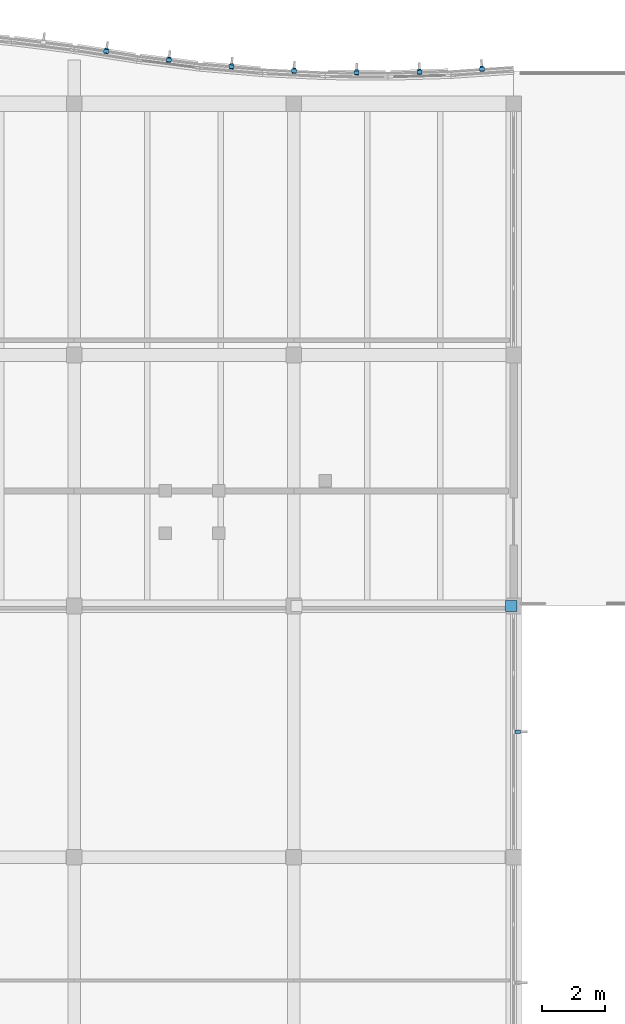
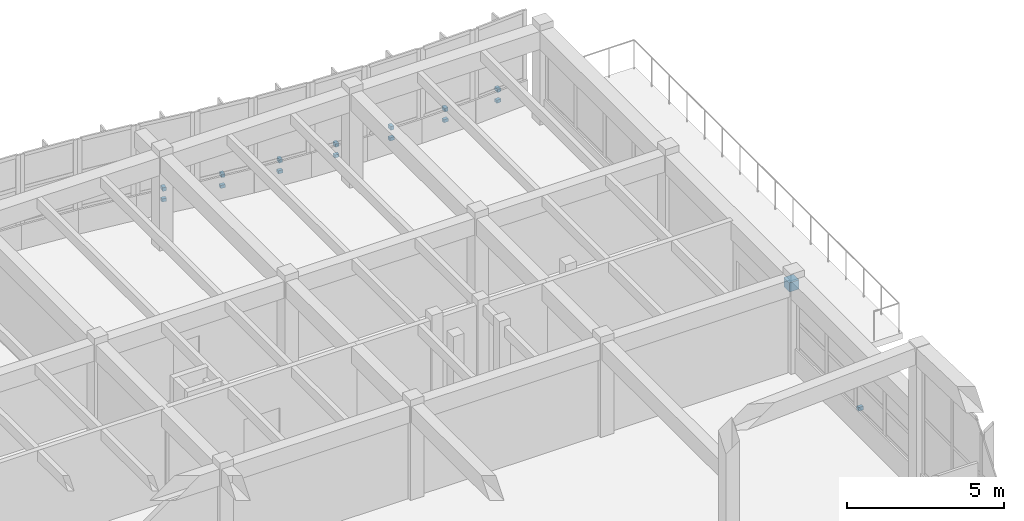
# One storey, part 76 of 89: 16 discrete accessories.
"""IFC4 building model written with IfcOpenShell, lengths in metres."""

from ifc_helpers import new_model, si_unit, direction, frame, origin, origin_2d, place, context, subcontext, project, spatial, rectangle, extrude, material, type_object, element, save


model = new_model("IFC4")

# Units and contexts
model_context = context("Model", 3, precision=1e-05, world=origin(), true_north=direction((0.0, 1.0)))
body_context = subcontext(model_context, "Body", "Model", "MODEL_VIEW")
ifc_project = project(units=[si_unit("LENGTHUNIT", "METRE"), si_unit("AREAUNIT", "SQUARE_METRE"), si_unit("VOLUMEUNIT", "CUBIC_METRE"), si_unit("PLANEANGLEUNIT", "RADIAN"), si_unit("MASSUNIT", "GRAM", prefix="KILO")], contexts=[model_context])

# Site, building, storey
site_placement = place(None, origin())
site = spatial("IfcSite", under=ifc_project, at=site_placement, CompositionType="ELEMENT")
building_placement = place(site_placement, origin())
building = spatial("IfcBuilding", under=site, at=building_placement, Name="Tonlespit Floodbar School", CompositionType="ELEMENT")
storey_placement = place(building_placement, frame((0.0, 0.0, 4.5)))
storey = spatial("IfcBuildingStorey", under=building, at=storey_placement, Name="L01", CompositionType="ELEMENT", Elevation=4.5)

# Discrete accessories
ifc_material_1 = material(Name="Galvanised Steel", Category="steel")
discrete_accessory_type_1 = type_object("IfcDiscreteAccessoryType", Name="Bracket_Facade_S355", PredefinedType="BRACKET", material=ifc_material_1)
discrete_accessory_1_placement = place(storey_placement, frame((163.02001953125, 121.678466796875, 0.35498046875), z_axis=(0.0, 0.0, 1.0), x_axis=(0.988094768361, -0.153846445322, 0.0)))
element("IfcDiscreteAccessory", 1, at=discrete_accessory_1_placement, inside=storey, type_object=discrete_accessory_type_1, Name="L01 white band support bracket 0650", PredefinedType="BRACKET", context=body_context, shape_type="SweptSolid", body=[
    extrude(rectangle(XDim=0.159912109375, YDim=0.1201171875, at=origin_2d()), origin(), (0.0, 0.0, 1.0), 0.1201171875),
])
discrete_accessory_2_placement = place(storey_placement, frame((163.021484375, 121.688232421875, 0.7802734375), z_axis=(0.0, 0.0, 1.0), x_axis=(0.988094768361, -0.153846445322, 0.0)))
element("IfcDiscreteAccessory", 2, at=discrete_accessory_2_placement, inside=storey, type_object=discrete_accessory_type_1, Name="Solar fin support bracket 253", PredefinedType="BRACKET", context=body_context, shape_type="SweptSolid", body=[
    extrude(rectangle(XDim=0.1201171875, YDim=0.179931640625, at=origin_2d()), origin(), (0.0, 0.0, 1.0), 0.139892578125),
])
discrete_accessory_3_placement = place(storey_placement, frame((165.016357421875, 121.397216796875, 0.35498046875), z_axis=(0.0, 0.0, 1.0), x_axis=(0.99215533612, -0.125011155539, 0.0)))
element("IfcDiscreteAccessory", 3, at=discrete_accessory_3_placement, inside=storey, type_object=discrete_accessory_type_1, Name="L01 white band support bracket 0651", PredefinedType="BRACKET", context=body_context, shape_type="SweptSolid", body=[
    extrude(rectangle(XDim=0.159912109375, YDim=0.1201171875, at=origin_2d()), origin(), (0.0, 0.0, 1.0), 0.1201171875),
])
discrete_accessory_4_placement = place(storey_placement, frame((165.017578125, 121.4072265625, 0.7802734375), z_axis=(0.0, 0.0, 1.0), x_axis=(0.99215533612, -0.125011155539, 0.0)))
element("IfcDiscreteAccessory", 4, at=discrete_accessory_4_placement, inside=storey, type_object=discrete_accessory_type_1, Name="Solar fin support bracket 254", PredefinedType="BRACKET", context=body_context, shape_type="SweptSolid", body=[
    extrude(rectangle(XDim=0.1201171875, YDim=0.179931640625, at=origin_2d()), origin(), (0.0, 0.0, 1.0), 0.139892578125),
])
discrete_accessory_5_placement = place(storey_placement, frame((167.01123046875, 121.184814453125, 0.35498046875), z_axis=(0.0, 0.0, 1.0), x_axis=(0.996245486492, -0.086573267488, 0.0)))
element("IfcDiscreteAccessory", 5, at=discrete_accessory_5_placement, inside=storey, type_object=discrete_accessory_type_1, Name="L01 white band support bracket 0652", PredefinedType="BRACKET", context=body_context, shape_type="SweptSolid", body=[
    extrude(rectangle(XDim=0.159912109375, YDim=0.1201171875, at=origin_2d()), origin(), (0.0, 0.0, 1.0), 0.1201171875),
])
discrete_accessory_6_placement = place(storey_placement, frame((167.01220703125, 121.19482421875, 0.7802734375), z_axis=(0.0, 0.0, 1.0), x_axis=(0.996245486492, -0.086573267488, 0.0)))
element("IfcDiscreteAccessory", 6, at=discrete_accessory_6_placement, inside=storey, type_object=discrete_accessory_type_1, Name="Solar fin support bracket 255", PredefinedType="BRACKET", context=body_context, shape_type="SweptSolid", body=[
    extrude(rectangle(XDim=0.1201171875, YDim=0.179931640625, at=origin_2d()), origin(), (0.0, 0.0, 1.0), 0.139892578125),
])
discrete_accessory_7_placement = place(storey_placement, frame((169.00634765625, 121.05029296875, 0.35498046875), z_axis=(0.0, 0.0, 1.0), x_axis=(0.998842769234, -0.048094930587, 0.0)))
element("IfcDiscreteAccessory", 7, at=discrete_accessory_7_placement, inside=storey, type_object=discrete_accessory_type_1, Name="L01 white band support bracket 0653", PredefinedType="BRACKET", context=body_context, shape_type="SweptSolid", body=[
    extrude(rectangle(XDim=0.159912109375, YDim=0.1201171875, at=origin_2d()), origin(), (0.0, 0.0, 1.0), 0.1201171875),
])
discrete_accessory_8_placement = place(storey_placement, frame((169.006591796875, 121.060302734375, 0.7802734375), z_axis=(0.0, 0.0, 1.0), x_axis=(0.998842769234, -0.048094930587, 0.0)))
element("IfcDiscreteAccessory", 8, at=discrete_accessory_8_placement, inside=storey, type_object=discrete_accessory_type_1, Name="Solar fin support bracket 256", PredefinedType="BRACKET", context=body_context, shape_type="SweptSolid", body=[
    extrude(rectangle(XDim=0.1201171875, YDim=0.179931640625, at=origin_2d()), origin(), (0.0, 0.0, 1.0), 0.139892578125),
])
discrete_accessory_9_placement = place(storey_placement, frame((171.001220703125, 120.99267578125, 0.35498046875), z_axis=(0.0, 0.0, 1.0), x_axis=(0.999953926969, -0.009599163462, 0.0)))
element("IfcDiscreteAccessory", 9, at=discrete_accessory_9_placement, inside=storey, type_object=discrete_accessory_type_1, Name="L01 white band support bracket 0654", PredefinedType="BRACKET", context=body_context, shape_type="SweptSolid", body=[
    extrude(rectangle(XDim=0.159912109375, YDim=0.1201171875, at=origin_2d()), origin(), (0.0, 0.0, 1.0), 0.1201171875),
])
discrete_accessory_10_placement = place(storey_placement, frame((171.001220703125, 121.002685546875, 0.7802734375), z_axis=(0.0, 0.0, 1.0), x_axis=(0.999953926969, -0.009599163462, 0.0)))
element("IfcDiscreteAccessory", 10, at=discrete_accessory_10_placement, inside=storey, type_object=discrete_accessory_type_1, Name="Solar fin support bracket 257", PredefinedType="BRACKET", context=body_context, shape_type="SweptSolid", body=[
    extrude(rectangle(XDim=0.1201171875, YDim=0.179931640625, at=origin_2d()), origin(), (0.0, 0.0, 1.0), 0.139892578125),
])
discrete_accessory_11_placement = place(storey_placement, frame((172.996337890625, 121.01171875, 0.35498046875), z_axis=(0.0, 0.0, 1.0), x_axis=(0.999584110869, 0.02883756748, 0.0)))
element("IfcDiscreteAccessory", 11, at=discrete_accessory_11_placement, inside=storey, type_object=discrete_accessory_type_1, Name="L01 white band support bracket 0655", PredefinedType="BRACKET", context=body_context, shape_type="SweptSolid", body=[
    extrude(rectangle(XDim=0.159912109375, YDim=0.1201171875, at=origin_2d()), origin(), (0.0, 0.0, 1.0), 0.1201171875),
])
discrete_accessory_12_placement = place(storey_placement, frame((172.99609375, 121.021728515625, 0.7802734375), z_axis=(0.0, 0.0, 1.0), x_axis=(0.999584110869, 0.02883756748, 0.0)))
element("IfcDiscreteAccessory", 12, at=discrete_accessory_12_placement, inside=storey, type_object=discrete_accessory_type_1, Name="Solar fin support bracket 258", PredefinedType="BRACKET", context=body_context, shape_type="SweptSolid", body=[
    extrude(rectangle(XDim=0.1201171875, YDim=0.179931640625, at=origin_2d()), origin(), (0.0, 0.0, 1.0), 0.139892578125),
])
discrete_accessory_13_placement = place(storey_placement, frame((174.9912109375, 121.10791015625, 0.35498046875), z_axis=(0.0, 0.0, 1.0), x_axis=(0.997729639049, 0.067346621018, 0.0)))
element("IfcDiscreteAccessory", 13, at=discrete_accessory_13_placement, inside=storey, type_object=discrete_accessory_type_1, Name="L01 white band support bracket 0656", PredefinedType="BRACKET", context=body_context, shape_type="SweptSolid", body=[
    extrude(rectangle(XDim=0.159912109375, YDim=0.1201171875, at=origin_2d()), origin(), (0.0, 0.0, 1.0), 0.1201171875),
])
for number, where, z_axis, x_axis, name in (
    (14, (174.990478515625, 121.117919921875, 0.7802734375), (0.0, 0.0, 1.0), (0.997729639049, 0.067346621018, 0.0), "Solar fin support bracket 259"),
    (15, (176.132568359375, 100.0, 0.7802734375), (0.0, 0.0, 1.0), (0.0, -1.0, 0.0), "Solar fin support bracket 263"),
):
    element("IfcDiscreteAccessory", number, at=place(storey_placement, frame(where, z_axis=z_axis, x_axis=x_axis)), inside=storey, type_object=discrete_accessory_type_1, Name=name, PredefinedType="BRACKET", context=body_context, shape_type="SweptSolid", body=[
        extrude(rectangle(XDim=0.1201171875, YDim=0.179931640625, at=origin_2d()), origin(), (0.0, 0.0, 1.0), 0.139892578125),
    ])
ifc_material_2 = material(Name="Steel S355", Category="steel")
discrete_accessory_type_2 = type_object("IfcDiscreteAccessoryType", Name="GussetShoe_Brace_S355", PredefinedType="SHOE", material=ifc_material_2)
discrete_accessory_14_placement = place(storey_placement, frame((175.919921875, 104.0, 3.169921875), z_axis=(0.0, 0.0, 1.0), x_axis=(1.0, 0.0, 0.0)))
element("IfcDiscreteAccessory", 16, at=discrete_accessory_14_placement, inside=storey, type_object=discrete_accessory_type_2, Name="L01 brace and chord end gusset shoe 0042", PredefinedType="SHOE", context=body_context, shape_type="SweptSolid", body=[
    extrude(rectangle(XDim=0.360107421875, YDim=0.360107421875, at=origin_2d()), origin(), (0.0, 0.0, 1.0), 0.360107421875),
])

save(model, "model.ifc")
